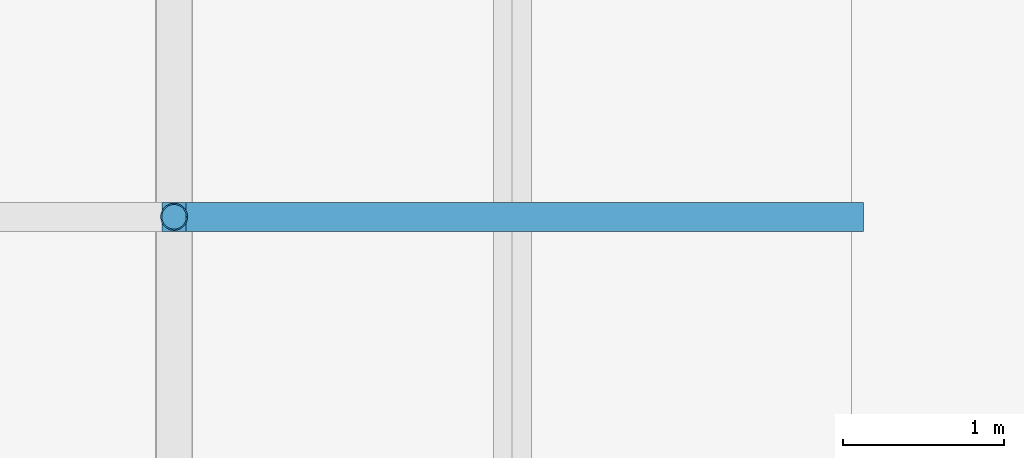
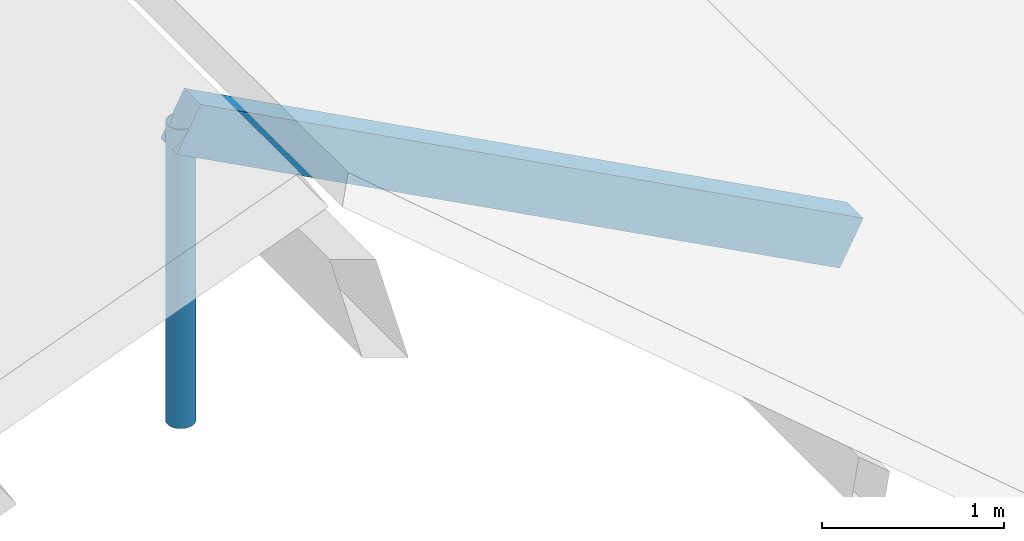
# One storey, part 64 of 82: 2 members.
"""IFC4 building model written with IfcOpenShell, lengths in metres."""

from ifc_helpers import new_model, si_unit, direction, frame, origin, origin_2d, place, context, subcontext, project, spatial, rectangle, hollow_circle, extrude, material, material_profile, profile_set, type_object, element, save


model = new_model("IFC4")

# Units and contexts
model_context = context("Model", 3, precision=1e-05, world=origin(), true_north=direction((0.0, 1.0)))
body_context = subcontext(model_context, "Body", "Model", "MODEL_VIEW")
ifc_project = project(units=[si_unit("LENGTHUNIT", "METRE"), si_unit("AREAUNIT", "SQUARE_METRE"), si_unit("VOLUMEUNIT", "CUBIC_METRE"), si_unit("PLANEANGLEUNIT", "RADIAN"), si_unit("MASSUNIT", "GRAM", prefix="KILO")], contexts=[model_context])

# Site, building, storey
site_placement = place(None, origin())
site = spatial("IfcSite", under=ifc_project, at=site_placement, CompositionType="ELEMENT")
building_placement = place(site_placement, origin())
building = spatial("IfcBuilding", under=site, at=building_placement, Name="Bramfleet General Hospital", CompositionType="ELEMENT")
storey_placement = place(building_placement, frame((0.0, 0.0, 34.199951171875)))
storey = spatial("IfcBuildingStorey", under=building, at=storey_placement, Name="Roof", CompositionType="ELEMENT", Elevation=34.199951171875)

# Members
ifc_material_1 = material(Name="Structural timber GL28h", Category="wood")
ifc_material_profile_1 = material_profile(ifc_material_1, rectangle(XDim=0.179931640625, YDim=0.320068359375, at=origin_2d()), Name="GL28h 320x180")
ifc_profile_set_1 = profile_set([ifc_material_profile_1], Name="Structural timber GL28h")
member_type_1 = type_object("IfcMemberType", Name="MEM-RF-GL320", PredefinedType="RAFTER", material=ifc_profile_set_1)
member_1_placement = place(storey_placement, frame((113.39990234375, 100.800048828125, 1.561279296875), z_axis=(0.882958848035, 0.0, -0.469450394267), x_axis=(0.0, 1.0, 0.0)))
element("IfcMember", 1, at=member_1_placement, inside=storey, type_object=member_type_1, Name="Patient House PH-04 East Glulam Rafter 1", PredefinedType="RAFTER", context=body_context, shape_type="SweptSolid", body=[
    extrude(rectangle(XDim=0.179931640625, YDim=0.320068359375, at=origin_2d()), origin(), (0.0, 0.0, 1.0), 4.7568359375),
])
ifc_material_2 = material(Name="Steel S355", Category="steel")
ifc_material_profile_2 = material_profile(ifc_material_2, hollow_circle(Radius=0.084228515625, WallThickness=0.008056640625, at=origin_2d()), Name="CHS 168.3x8.0")
ifc_profile_set_2 = profile_set([ifc_material_profile_2], Name="Steel S355")
member_type_2 = type_object("IfcMemberType", Name="MEM-SF-DG1", PredefinedType="STRUT", material=ifc_profile_set_2)
member_2_placement = place(storey_placement, frame((113.39990234375, 100.800048828125, -0.43994140625), z_axis=(0.0, 0.0, 1.0), x_axis=(1.0, 0.0, 0.0)))
element("IfcMember", 2, at=member_2_placement, inside=storey, type_object=member_type_2, Name="Patient House PH-04 Ridge Timber Post 1", PredefinedType="STRUT", context=body_context, shape_type="SweptSolid", body=[
    extrude(hollow_circle(Radius=0.084228515625, WallThickness=0.008056640625, at=origin_2d()), origin(), (0.0, 0.0, 1.0), 2.001220703125),
])

save(model, "model.ifc")
